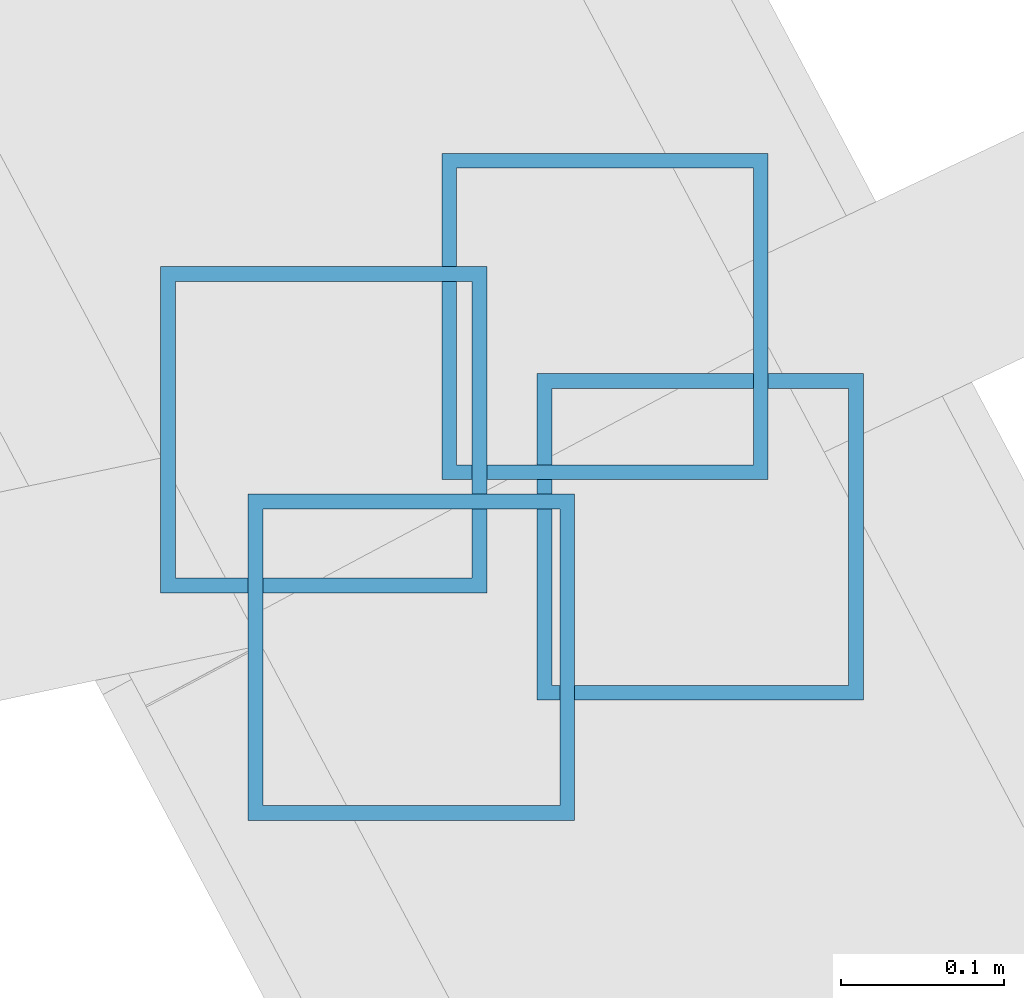
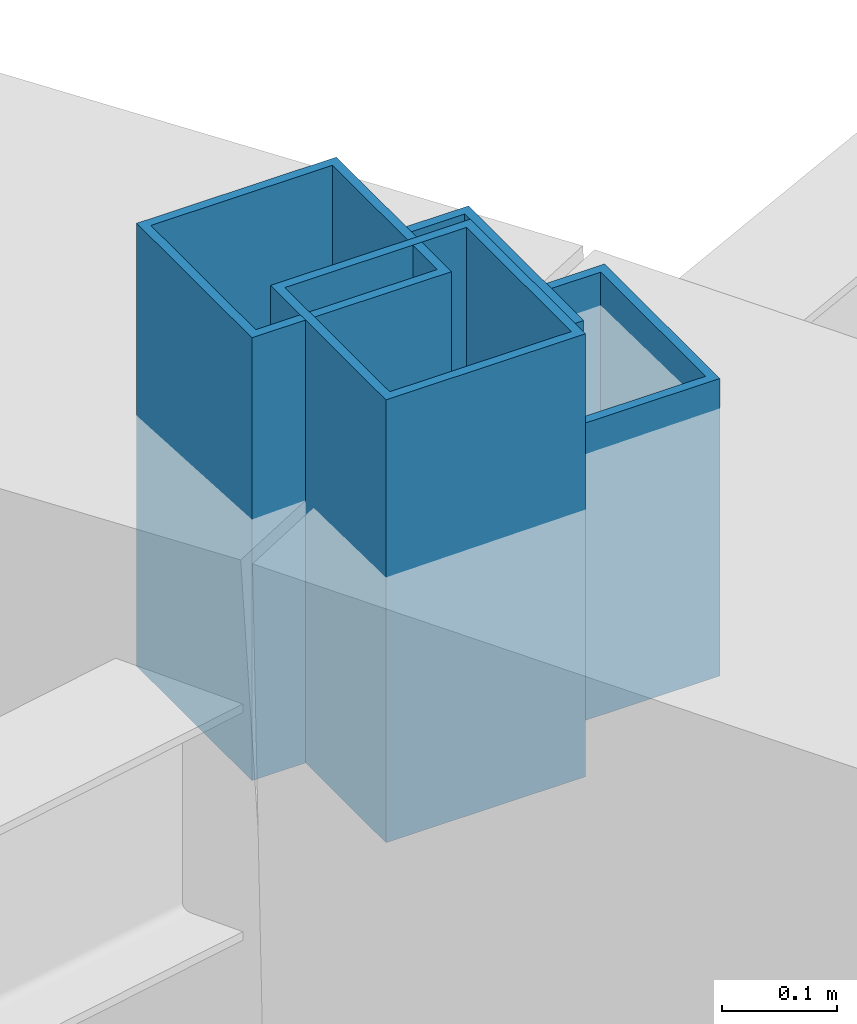
# One storey, part 101 of 162: 4 members.
"""IFC4 building model written with IfcOpenShell, lengths in metres."""

import ifcopenshell
import ifcopenshell.guid

model = None  # the IFC model being written
_history = None  # IfcOwnerHistory: only IFC2X3 demands one
_inside = {}  # id of a spatial element -> (the spatial element, [elements in it])
_under = {}  # id of a project, library or spatial element -> (it, [spatial elements below it])
_declared = {}  # id of a project -> (the project, [libraries it declares])
_typed = {}  # id of a type object -> (the type object, [elements of that type])
_made_of = {}  # id of a material, layer set ... -> (it, [elements and type objects made of it])


def new_model(schema):
    """Start an empty IFC model of exactly this schema.

    Asked for "IFC4X3", IfcOpenShell would pick the latest addendum, in which some entities
    have other attributes; the version numbers below select the first issue.
    IFC2X3 requires an IfcOwnerHistory on every rooted entity: one is made here for all.
    """
    global model, _history
    if schema == "IFC4X3":
        model = ifcopenshell.file(schema_version=(4, 3, 0, 0))
    else:
        model = ifcopenshell.file(schema=schema)
    _inside.clear()
    _under.clear()
    _declared.clear()
    _typed.clear()
    _made_of.clear()
    _history = None
    if model.schema == "IFC2X3":
        org = make("IfcOrganization", Name="unknown")
        user = make(
            "IfcPersonAndOrganization",
            ThePerson=make("IfcPerson", FamilyName="unknown"),
            TheOrganization=org,
        )
        app = make(
            "IfcApplication",
            ApplicationDeveloper=org,
            Version="unknown",
            ApplicationFullName="unknown",
            ApplicationIdentifier="unknown",
        )
        _history = make(
            "IfcOwnerHistory",
            OwningUser=user,
            OwningApplication=app,
            ChangeAction="ADDED",
            CreationDate=0,
        )
    return model


def make(cls, **values):
    """One entity of the class cls with the attributes given. An attribute that is None is left unset."""
    return model.create_entity(
        cls, **{name: value for name, value in values.items() if value is not None}
    )


def rooted(cls, **values):
    """An entity with a GlobalId (a new one), such as an element, a storey or a relation."""
    return make(cls, GlobalId=ifcopenshell.guid.new(), OwnerHistory=_history, **values)


def si_unit(unit_type, name, prefix=None):
    """IfcSIUnit, for example si_unit("LENGTHUNIT", "METRE", prefix="MILLI")."""
    return make("IfcSIUnit", UnitType=unit_type, Prefix=prefix, Name=name)


def assignment(units):
    """IfcUnitAssignment: the units of a project."""
    return None if units is None else make("IfcUnitAssignment", Units=units)


def point(xyz):
    """IfcCartesianPoint."""
    return None if xyz is None else make("IfcCartesianPoint", Coordinates=xyz)


def direction(xyz):
    """IfcDirection."""
    return None if xyz is None else make("IfcDirection", DirectionRatios=xyz)


def frame(location, z_axis=None, x_axis=None):
    """IfcAxis2Placement3D, a coordinate frame: its origin and axes. An axis left out is left unset."""
    return make(
        "IfcAxis2Placement3D",
        Location=point(location),
        Axis=direction(z_axis),
        RefDirection=direction(x_axis),
    )


def frame_2d(location, x_axis=None):
    """IfcAxis2Placement2D, a coordinate frame in the plane: its origin and x axis."""
    return make(
        "IfcAxis2Placement2D", Location=point(location), RefDirection=direction(x_axis)
    )


def origin():
    """The frame at (0, 0, 0) with its axes left unset."""
    return frame((0.0, 0.0, 0.0))


def origin_2d():
    """The frame at (0, 0) in the plane with its x axis left unset."""
    return frame_2d((0.0, 0.0))


def place(relative_to, where):
    """IfcLocalPlacement: puts the frame where relative to a parent placement (None: the world)."""
    return make(
        "IfcLocalPlacement", PlacementRelTo=relative_to, RelativePlacement=where
    )


def context(
    kind, dimensions, precision=None, world=None, true_north=None, identifier=None
):
    """IfcGeometricRepresentationContext, for example the 3D "Model" context."""
    return make(
        "IfcGeometricRepresentationContext",
        ContextIdentifier=identifier,
        ContextType=kind,
        CoordinateSpaceDimension=dimensions,
        Precision=precision,
        WorldCoordinateSystem=world,
        TrueNorth=true_north,
    )


def subcontext(parent, identifier, kind, view, scale=None):
    """IfcGeometricRepresentationSubContext, for example "Body" below "Model"."""
    return make(
        "IfcGeometricRepresentationSubContext",
        ContextIdentifier=identifier,
        ContextType=kind,
        ParentContext=parent,
        TargetScale=scale,
        TargetView=view,
    )


def project(units=None, contexts=None):
    """IfcProject with its units and contexts."""
    return rooted(
        "IfcProject",
        Name="project",
        RepresentationContexts=contexts,
        UnitsInContext=assignment(units),
    )


def spatial(cls, under=None, at=None, **own):
    """A site, building, storey or space (cls), placed at a placement, below another one or the project."""
    s = rooted(cls, ObjectPlacement=at, **own)
    if under is not None:
        _under.setdefault(under.id(), (under, []))[1].append(s)
    return s


def profile(cls, at=None, kind="AREA", **sizes):
    """A parametric profile (cls). Its sizes go by their IFC names, for example OverallWidth=200.0."""
    return make(cls, ProfileType=kind, Position=at, **sizes)


def hollow_rectangle(**sizes):
    """IfcRectangleHollowProfileDef."""
    return profile("IfcRectangleHollowProfileDef", **sizes)


def extrude(swept, where, along, depth):
    """IfcExtrudedAreaSolid: the profile swept, set in the frame where, extruded along a direction by depth."""
    return make(
        "IfcExtrudedAreaSolid",
        SweptArea=swept,
        Position=where,
        ExtrudedDirection=direction(along),
        Depth=depth,
    )


def shape(context_of_items, identifier, shape_type, items):
    """IfcShapeRepresentation: the items that make up one representation, for example the "Body"."""
    return make(
        "IfcShapeRepresentation",
        ContextOfItems=context_of_items,
        RepresentationIdentifier=identifier,
        RepresentationType=shape_type,
        Items=items,
    )


def material(Name=None, Category=None):
    """IfcMaterial."""
    return make("IfcMaterial", Name=Name, Category=Category)


def material_profile(
    of_material, cross_section, Name=None, Category=None, Priority=None
):
    """IfcMaterialProfile: a cross section and its material."""
    return make(
        "IfcMaterialProfile",
        Name=Name,
        Material=of_material,
        Profile=cross_section,
        Priority=Priority,
        Category=Category,
    )


def profile_set(profiles, Name=None, composite=None):
    """IfcMaterialProfileSet."""
    return make(
        "IfcMaterialProfileSet",
        Name=Name,
        MaterialProfiles=profiles,
        CompositeProfile=composite,
    )


def made_of(thing, what):
    """Note that an element or type object is made of a material, layer set ...; save() writes the relation."""
    if what is not None:
        _made_of.setdefault(what.id(), (what, []))[1].append(thing)
    return thing


def type_object(cls, material=None, **own):
    """A type object (cls), such as IfcWallType, which elements share."""
    return made_of(rooted(cls, **own), material)


def element(
    cls,
    number,
    at=None,
    inside=None,
    cuts=None,
    type_object=None,
    material=None,
    context=None,
    identifier="Body",
    shape_type=None,
    held_by="IfcProductDefinitionShape",
    body=None,
    shapes=None,
    **own,
):
    """One element of the class cls, such as IfcWall. Its Tag is "e" and its number.

    at: its placement. inside: the storey or other place that contains it. cuts: it is an
    opening in that element (IfcRelVoidsElement). A single representation is given by context,
    identifier, shape_type and body (its items); several are given by shapes. held_by: the class
    of the entity that holds the representations. save() writes the other relations.
    """
    e = rooted(cls, Tag="e%d" % number, ObjectPlacement=at, **own)
    if body is not None:
        shapes = [shape(context, identifier, shape_type, body)]
    if shapes is not None:
        e.Representation = make(held_by, Representations=shapes)
    if inside is not None:
        _inside.setdefault(inside.id(), (inside, []))[1].append(e)
    if cuts is not None:
        rooted(
            "IfcRelVoidsElement", RelatingBuildingElement=cuts, RelatedOpeningElement=e
        )
    if type_object is not None:
        _typed.setdefault(type_object.id(), (type_object, []))[1].append(e)
    return made_of(e, material)


def aggregate(whole, parts):
    """IfcRelAggregates: a whole, such as a stair, and the parts it consists of."""
    return rooted("IfcRelAggregates", RelatingObject=whole, RelatedObjects=parts)


def save(model, path):
    """Write the relations noted so far, then the file.

    IfcRelAggregates (storeys below a building ...), IfcRelContainedInSpatialStructure (elements
    in a storey), IfcRelDefinesByType, IfcRelAssociatesMaterial and IfcRelDeclares: one each for
    every whole, place, type object, material and project.
    """
    for whole, parts in _under.values():
        aggregate(whole, parts)
    for where, things in _inside.values():
        rooted(
            "IfcRelContainedInSpatialStructure",
            RelatedElements=things,
            RelatingStructure=where,
        )
    for kind, things in _typed.values():
        rooted("IfcRelDefinesByType", RelatedObjects=things, RelatingType=kind)
    for what, things in _made_of.values():
        rooted("IfcRelAssociatesMaterial", RelatedObjects=things, RelatingMaterial=what)
    for by, libraries in _declared.values():
        rooted("IfcRelDeclares", RelatingContext=by, RelatedDefinitions=libraries)
    model.write(path)


model = new_model("IFC4")

# Units and contexts
model_context = context("Model", 3, precision=1e-05, world=origin(), true_north=direction((0.0, 1.0)))
body_context = subcontext(model_context, "Body", "Model", "MODEL_VIEW")
ifc_project = project(units=[si_unit("LENGTHUNIT", "METRE"), si_unit("AREAUNIT", "SQUARE_METRE"), si_unit("VOLUMEUNIT", "CUBIC_METRE"), si_unit("PLANEANGLEUNIT", "RADIAN"), si_unit("MASSUNIT", "GRAM", prefix="KILO")], contexts=[model_context])

# Site, building, storey
site_placement = place(None, origin())
site = spatial("IfcSite", under=ifc_project, at=site_placement, CompositionType="ELEMENT")
building_placement = place(site_placement, origin())
building = spatial("IfcBuilding", under=site, at=building_placement, Name="Kazemori Nagisa Stadium", CompositionType="ELEMENT")
storey_placement = place(building_placement, frame((0.0, 0.0, 36.719970703125)))
storey = spatial("IfcBuildingStorey", under=building, at=storey_placement, Name="RF", CompositionType="ELEMENT", Elevation=36.719970703125)

# Members
ifc_material = material(Name="Steel STKR490", Category="steel")
ifc_material_profile = material_profile(ifc_material, hollow_rectangle(XDim=0.199951171875, YDim=0.199951171875, WallThickness=0.009033203125, at=origin_2d()), Name="SHS-200x200x9")
ifc_profile_set = profile_set([ifc_material_profile], Name="Steel STKR490")
member_type = type_object("IfcMemberType", Name="Member_TS-SHS200", PredefinedType="STRUT", material=ifc_profile_set)
for number, where, z_axis, x_axis, name in (
    (1, (152.81689453125, 45.732421875, 5.7900390625), (0.0, 0.0, 1.0), (1.0, 0.0, 0.0), "Canopy bearing stool B23-mid-3"),
    (2, (152.76318359375, 45.871826171875, 5.7900390625), (0.0, 0.0, 1.0), (1.0, 0.0, 0.0), "Canopy bearing stool B23-inner-2"),
):
    element("IfcMember", number, at=place(storey_placement, frame(where, z_axis=z_axis, x_axis=x_axis)), inside=storey, type_object=member_type, Name=name, PredefinedType="STRUT", context=body_context, shape_type="SweptSolid", body=[
        extrude(hollow_rectangle(XDim=0.199951171875, YDim=0.199951171875, WallThickness=0.009033203125, at=origin_2d()), origin(), (0.0, 0.0, 1.0), 0.468994140625),
    ])
for number, where, z_axis, x_axis, name in (
    (3, (152.993896484375, 45.80615234375, 5.7900390625), (0.0, 0.0, 1.0), (1.0, 0.0, 0.0), "Canopy bearing stool B24-mid-4"),
    (4, (152.935546875, 45.941162109375, 5.7900390625), (0.0, 0.0, 1.0), (1.0, 0.0, 0.0), "Canopy bearing stool B24-inner-1"),
):
    element("IfcMember", number, at=place(storey_placement, frame(where, z_axis=z_axis, x_axis=x_axis)), inside=storey, type_object=member_type, Name=name, PredefinedType="STRUT", context=body_context, shape_type="SweptSolid", body=[
        extrude(hollow_rectangle(XDim=0.199951171875, YDim=0.199951171875, WallThickness=0.009033203125, at=origin_2d()), origin(), (0.0, 0.0, 1.0), 0.31494140625),
    ])

save(model, "model.ifc")
